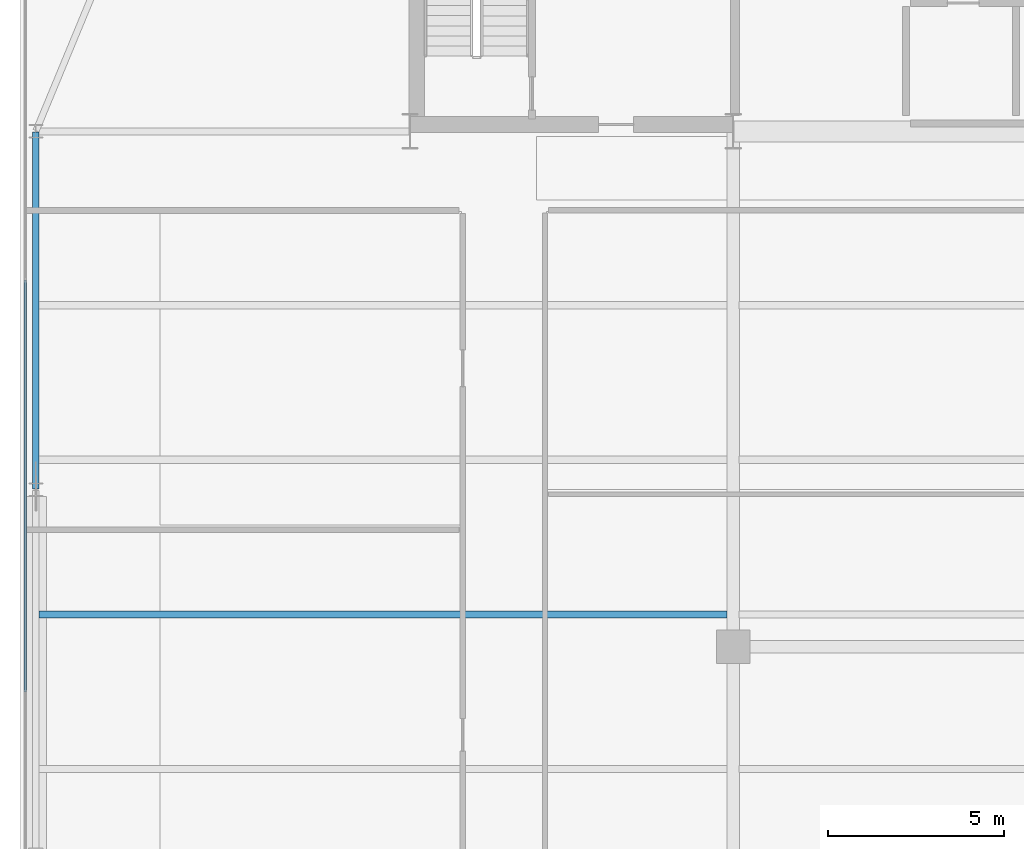
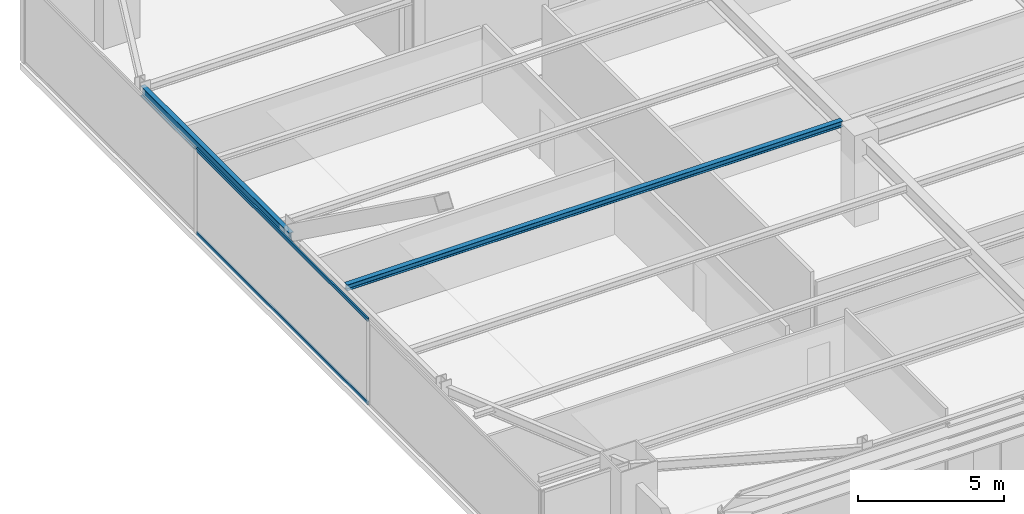
# One storey, part 9 of 37: 2 beams, 2 members, 1 element without a shape of its own.
"""IFC4 building model written with IfcOpenShell, lengths in metres."""

from ifc_helpers import new_model, si_unit, direction, frame, origin, origin_2d, place, context, subcontext, project, spatial, hollow_rectangle, i_section, extrude, source, transform, mapped, material, layer, layer_set, material_profile, profile_set, type_object, type_shapes, element, aggregate, save


model = new_model("IFC4")

# Units and contexts
model_context = context("Model", 3, precision=1e-05, world=origin(), true_north=direction((0.0, 1.0)))
body_context = subcontext(model_context, "Body", "Model", "MODEL_VIEW")
ifc_project = project(units=[si_unit("LENGTHUNIT", "METRE"), si_unit("AREAUNIT", "SQUARE_METRE"), si_unit("VOLUMEUNIT", "CUBIC_METRE"), si_unit("PLANEANGLEUNIT", "RADIAN"), si_unit("MASSUNIT", "GRAM", prefix="KILO")], contexts=[model_context])

# Site, building, storey
site_placement = place(None, origin())
site = spatial("IfcSite", under=ifc_project, at=site_placement, CompositionType="ELEMENT")
building_placement = place(site_placement, origin())
building = spatial("IfcBuilding", under=site, at=building_placement, Name="Varnel Quay Broadcast Tower", CompositionType="ELEMENT")
storey_placement = place(building_placement, frame((0.0, 0.0, 106.800048828125)))
storey = spatial("IfcBuildingStorey", under=building, at=storey_placement, Name="L25", CompositionType="ELEMENT", Elevation=106.800048828125)

# Beams
ifc_material_1 = material(Name="Structural Steel CSA G40.21 350W", Category="steel")
ifc_material_profile_1 = material_profile(ifc_material_1, i_section(OverallWidth=0.180908203125, OverallDepth=0.4169921875, WebThickness=0.010986328125, FlangeThickness=0.018310546875, FilletRadius=0.011962890625, at=origin_2d()), Name="W410X85")
ifc_profile_set_1 = profile_set([ifc_material_profile_1], Name="Structural Steel CSA G40.21 350W")
beam_type_1 = type_object("IfcBeamType", Name="Beam_W410X85", PredefinedType="SPANDREL", material=ifc_profile_set_1)
shared_shape_1 = source(origin(), body_context, "Body", "SweptSolid", [
    extrude(i_section(OverallWidth=0.180908203125, OverallDepth=0.4169921875, WebThickness=0.010986328125, FlangeThickness=0.018310546875, FilletRadius=0.011962890625, at=origin_2d()), origin(), (0.0, 0.0, 1.0), 10.16015625),
])
type_shapes(beam_type_1, [shared_shape_1])
beam_1_placement = place(storey_placement, frame((4.949951171875, 25.419921875, 3.341552734375), z_axis=(0.0, 1.0, 0.0), x_axis=(-1.0, 0.0, 0.0)))
element("IfcBeam", 1, at=beam_1_placement, inside=storey, type_object=beam_type_1, Name="L25 West Spandrel TC-W2-TC-W3", PredefinedType="SPANDREL", context=body_context, shape_type="MappedRepresentation", body=[
    mapped(shared_shape_1, transform((0.0, 0.0, 0.0), x_axis=(1.0, 0.0, 0.0), y_axis=(0.0, 1.0, 0.0), z_axis=(0.0, 0.0, 1.0), scale=1.0)),
])
ifc_material_profile_2 = material_profile(ifc_material_1, i_section(OverallWidth=0.201904296875, OverallDepth=0.2470703125, WebThickness=0.00732421875, FlangeThickness=0.010986328125, FilletRadius=0.010986328125, at=origin_2d()), Name="W250X49")
ifc_profile_set_2 = profile_set([ifc_material_profile_2], Name="Structural Steel CSA G40.21 350W")
beam_type_2 = type_object("IfcBeamType", Name="Beam_W250X49", PredefinedType="JOIST", material=ifc_profile_set_2)
shared_shape_2 = source(origin(), body_context, "Body", "SweptSolid", [
    extrude(i_section(OverallWidth=0.201904296875, OverallDepth=0.2470703125, WebThickness=0.00732421875, FlangeThickness=0.010986328125, FilletRadius=0.010986328125, at=origin_2d()), origin(), (0.0, 0.0, 1.0), 19.592041015625),
])
type_shapes(beam_type_2, [shared_shape_2])
beam_2_placement = place(storey_placement, frame((5.035400390625, 21.85009765625, 3.426513671875), z_axis=(1.0, 0.0, 0.0), x_axis=(0.0, 1.0, 0.0)))
element("IfcBeam", 2, at=beam_2_placement, inside=storey, type_object=beam_type_2, Name="L25 West Floor Joist 4", PredefinedType="JOIST", context=body_context, shape_type="MappedRepresentation", body=[
    mapped(shared_shape_2, transform((0.0, 0.0, 0.0), x_axis=(1.0, 0.0, 0.0), y_axis=(0.0, 1.0, 0.0), z_axis=(0.0, 0.0, 1.0), scale=1.0)),
])

# Curtain wall, members
ifc_material_2 = material(Name="Anodised Bronze Aluminium 6063-T6", Category="aluminium")
ifc_layer = layer(ifc_material_2, 0.18994140625, Name="Anodised Bronze Aluminium 6063-T6")
ifc_layer_set = layer_set([ifc_layer], Name="Anodised Bronze Aluminium 6063-T6")
curtain_wall_type = type_object("IfcCurtainWallType", Name="CW_LowerTower", PredefinedType="NOTDEFINED", material=ifc_layer_set)
curtain_wall_placement = place(storey_placement, origin())
curtain_wall = element("IfcCurtainWall", 3, at=curtain_wall_placement, inside=storey, type_object=curtain_wall_type, Name="L25 West Unitised Curtain Wall", PredefinedType="NOTDEFINED")
ifc_material_profile_3 = material_profile(ifc_material_2, hollow_rectangle(XDim=0.06005859375, YDim=0.14501953125, WallThickness=0.00341796875, at=origin_2d()), Name="ALU60X145X3.5")
ifc_profile_set_3 = profile_set([ifc_material_profile_3], Name="Anodised Bronze Aluminium 6063-T6")
member_type = type_object("IfcMemberType", Name="Tran_CWS-02", PredefinedType="USERDEFINED", material=ifc_profile_set_3)
shared_shape_3 = source(origin(), body_context, "Body", "SweptSolid", [
    extrude(hollow_rectangle(XDim=0.06005859375, YDim=0.14501953125, WallThickness=0.00341796875, at=origin_2d()), origin(), (0.0, 0.0, 1.0), 11.72998046875),
])
type_shapes(member_type, [shared_shape_3])
member_1_placement = place(storey_placement, frame((4.64990234375, 19.635009765625, 0.030029296875), z_axis=(0.0, 1.0, 0.0), x_axis=(-1.0, 0.0, 0.0)))
member_1 = element("IfcMember", 4, at=member_1_placement, type_object=member_type, Name="CWS-02 transom 2.1", ObjectType="TRANSOM", PredefinedType="USERDEFINED", context=body_context, shape_type="MappedRepresentation", body=[
    mapped(shared_shape_3, transform((0.0, 0.0, 0.0), x_axis=(1.0, 0.0, 0.0), y_axis=(0.0, 1.0, 0.0), z_axis=(0.0, 0.0, 1.0), scale=1.0)),
])
member_2_placement = place(storey_placement, frame((4.64990234375, 19.635009765625, 3.52001953125), z_axis=(0.0, 1.0, 0.0), x_axis=(-1.0, 0.0, 0.0)))
member_2 = element("IfcMember", 5, at=member_2_placement, type_object=member_type, Name="CWS-02 transom 2.2", ObjectType="TRANSOM", PredefinedType="USERDEFINED", context=body_context, shape_type="MappedRepresentation", body=[
    mapped(shared_shape_3, transform((0.0, 0.0, 0.0), x_axis=(1.0, 0.0, 0.0), y_axis=(0.0, 1.0, 0.0), z_axis=(0.0, 0.0, 1.0), scale=1.0)),
])
aggregate(curtain_wall, [member_1, member_2])

save(model, "model.ifc")
